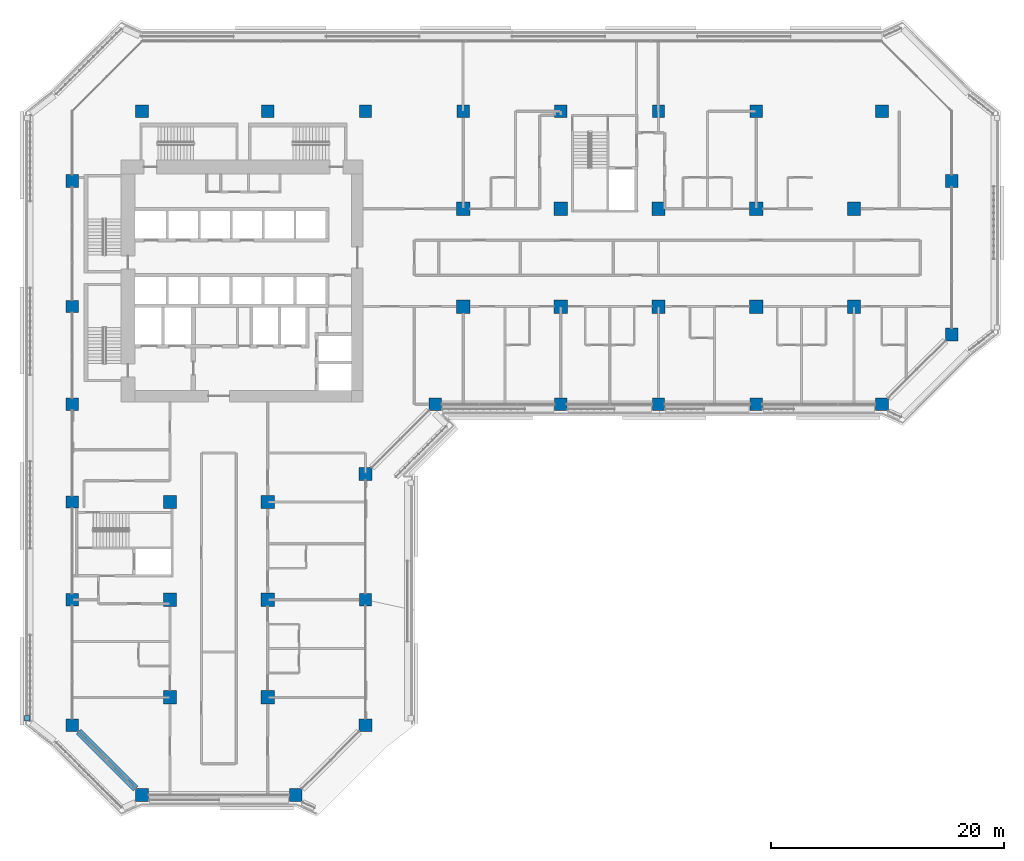
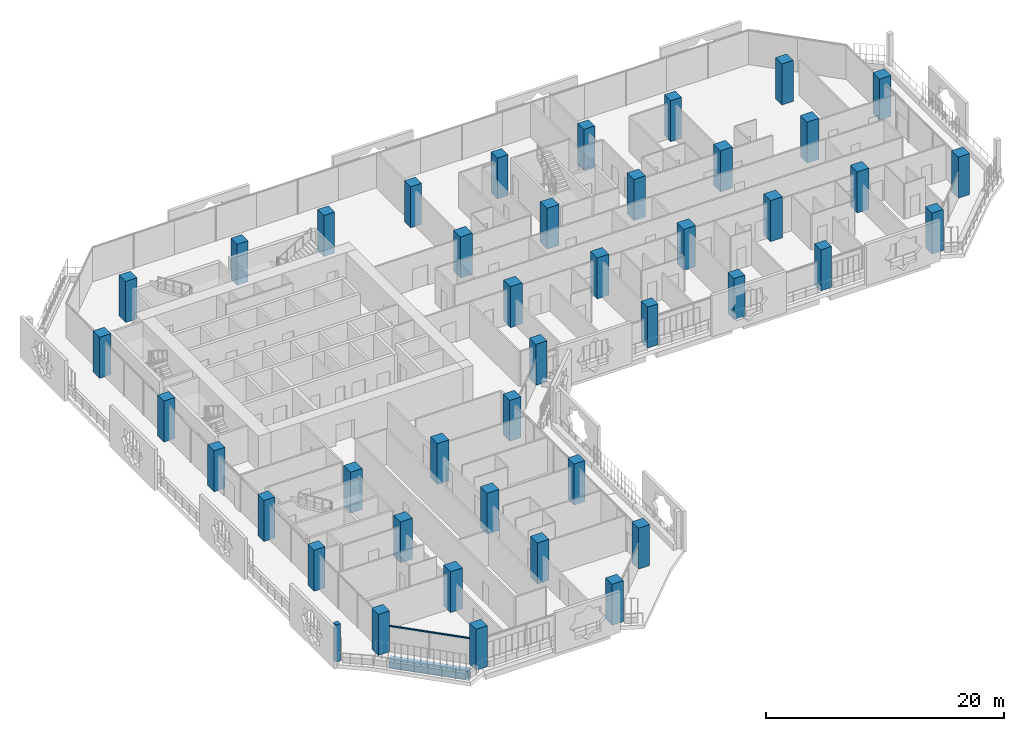
# One storey, part 1 of 25: 42 columns, 2 members, 1 beam, 2 elements without a shape of their own.
"""IFC4 building model written with IfcOpenShell, lengths in metres."""

import ifcopenshell
import ifcopenshell.guid

model = None  # the IFC model being written
_history = None  # IfcOwnerHistory: only IFC2X3 demands one
_inside = {}  # id of a spatial element -> (the spatial element, [elements in it])
_under = {}  # id of a project, library or spatial element -> (it, [spatial elements below it])
_declared = {}  # id of a project -> (the project, [libraries it declares])
_typed = {}  # id of a type object -> (the type object, [elements of that type])
_made_of = {}  # id of a material, layer set ... -> (it, [elements and type objects made of it])


def new_model(schema):
    """Start an empty IFC model of exactly this schema.

    Asked for "IFC4X3", IfcOpenShell would pick the latest addendum, in which some entities
    have other attributes; the version numbers below select the first issue.
    IFC2X3 requires an IfcOwnerHistory on every rooted entity: one is made here for all.
    """
    global model, _history
    if schema == "IFC4X3":
        model = ifcopenshell.file(schema_version=(4, 3, 0, 0))
    else:
        model = ifcopenshell.file(schema=schema)
    _inside.clear()
    _under.clear()
    _declared.clear()
    _typed.clear()
    _made_of.clear()
    _history = None
    if model.schema == "IFC2X3":
        org = make("IfcOrganization", Name="unknown")
        user = make(
            "IfcPersonAndOrganization",
            ThePerson=make("IfcPerson", FamilyName="unknown"),
            TheOrganization=org,
        )
        app = make(
            "IfcApplication",
            ApplicationDeveloper=org,
            Version="unknown",
            ApplicationFullName="unknown",
            ApplicationIdentifier="unknown",
        )
        _history = make(
            "IfcOwnerHistory",
            OwningUser=user,
            OwningApplication=app,
            ChangeAction="ADDED",
            CreationDate=0,
        )
    return model


def make(cls, **values):
    """One entity of the class cls with the attributes given. An attribute that is None is left unset."""
    return model.create_entity(
        cls, **{name: value for name, value in values.items() if value is not None}
    )


def rooted(cls, **values):
    """An entity with a GlobalId (a new one), such as an element, a storey or a relation."""
    return make(cls, GlobalId=ifcopenshell.guid.new(), OwnerHistory=_history, **values)


def si_unit(unit_type, name, prefix=None):
    """IfcSIUnit, for example si_unit("LENGTHUNIT", "METRE", prefix="MILLI")."""
    return make("IfcSIUnit", UnitType=unit_type, Prefix=prefix, Name=name)


def assignment(units):
    """IfcUnitAssignment: the units of a project."""
    return None if units is None else make("IfcUnitAssignment", Units=units)


def point(xyz):
    """IfcCartesianPoint."""
    return None if xyz is None else make("IfcCartesianPoint", Coordinates=xyz)


def direction(xyz):
    """IfcDirection."""
    return None if xyz is None else make("IfcDirection", DirectionRatios=xyz)


def frame(location, z_axis=None, x_axis=None):
    """IfcAxis2Placement3D, a coordinate frame: its origin and axes. An axis left out is left unset."""
    return make(
        "IfcAxis2Placement3D",
        Location=point(location),
        Axis=direction(z_axis),
        RefDirection=direction(x_axis),
    )


def frame_2d(location, x_axis=None):
    """IfcAxis2Placement2D, a coordinate frame in the plane: its origin and x axis."""
    return make(
        "IfcAxis2Placement2D", Location=point(location), RefDirection=direction(x_axis)
    )


def origin():
    """The frame at (0, 0, 0) with its axes left unset."""
    return frame((0.0, 0.0, 0.0))


def origin_2d():
    """The frame at (0, 0) in the plane with its x axis left unset."""
    return frame_2d((0.0, 0.0))


def place(relative_to, where):
    """IfcLocalPlacement: puts the frame where relative to a parent placement (None: the world)."""
    return make(
        "IfcLocalPlacement", PlacementRelTo=relative_to, RelativePlacement=where
    )


def context(
    kind, dimensions, precision=None, world=None, true_north=None, identifier=None
):
    """IfcGeometricRepresentationContext, for example the 3D "Model" context."""
    return make(
        "IfcGeometricRepresentationContext",
        ContextIdentifier=identifier,
        ContextType=kind,
        CoordinateSpaceDimension=dimensions,
        Precision=precision,
        WorldCoordinateSystem=world,
        TrueNorth=true_north,
    )


def subcontext(parent, identifier, kind, view, scale=None):
    """IfcGeometricRepresentationSubContext, for example "Body" below "Model"."""
    return make(
        "IfcGeometricRepresentationSubContext",
        ContextIdentifier=identifier,
        ContextType=kind,
        ParentContext=parent,
        TargetScale=scale,
        TargetView=view,
    )


def project(units=None, contexts=None):
    """IfcProject with its units and contexts."""
    return rooted(
        "IfcProject",
        Name="project",
        RepresentationContexts=contexts,
        UnitsInContext=assignment(units),
    )


def spatial(cls, under=None, at=None, **own):
    """A site, building, storey or space (cls), placed at a placement, below another one or the project."""
    s = rooted(cls, ObjectPlacement=at, **own)
    if under is not None:
        _under.setdefault(under.id(), (under, []))[1].append(s)
    return s


def profile(cls, at=None, kind="AREA", **sizes):
    """A parametric profile (cls). Its sizes go by their IFC names, for example OverallWidth=200.0."""
    return make(cls, ProfileType=kind, Position=at, **sizes)


def rectangle(**sizes):
    """IfcRectangleProfileDef."""
    return profile("IfcRectangleProfileDef", **sizes)


def extrude(swept, where, along, depth):
    """IfcExtrudedAreaSolid: the profile swept, set in the frame where, extruded along a direction by depth."""
    return make(
        "IfcExtrudedAreaSolid",
        SweptArea=swept,
        Position=where,
        ExtrudedDirection=direction(along),
        Depth=depth,
    )


def shape(context_of_items, identifier, shape_type, items):
    """IfcShapeRepresentation: the items that make up one representation, for example the "Body"."""
    return make(
        "IfcShapeRepresentation",
        ContextOfItems=context_of_items,
        RepresentationIdentifier=identifier,
        RepresentationType=shape_type,
        Items=items,
    )


def material(Name=None, Category=None):
    """IfcMaterial."""
    return make("IfcMaterial", Name=Name, Category=Category)


def layer(
    of_material, thickness, ventilated=None, Name=None, Category=None, Priority=None
):
    """IfcMaterialLayer: one layer of a wall or slab, of a material (None: an air gap)."""
    return make(
        "IfcMaterialLayer",
        Material=of_material,
        LayerThickness=thickness,
        IsVentilated=ventilated,
        Name=Name,
        Category=Category,
        Priority=Priority,
    )


def layer_set(layers, Name=None):
    """IfcMaterialLayerSet."""
    return make("IfcMaterialLayerSet", MaterialLayers=layers, LayerSetName=Name)


def material_profile(
    of_material, cross_section, Name=None, Category=None, Priority=None
):
    """IfcMaterialProfile: a cross section and its material."""
    return make(
        "IfcMaterialProfile",
        Name=Name,
        Material=of_material,
        Profile=cross_section,
        Priority=Priority,
        Category=Category,
    )


def profile_set(profiles, Name=None, composite=None):
    """IfcMaterialProfileSet."""
    return make(
        "IfcMaterialProfileSet",
        Name=Name,
        MaterialProfiles=profiles,
        CompositeProfile=composite,
    )


def made_of(thing, what):
    """Note that an element or type object is made of a material, layer set ...; save() writes the relation."""
    if what is not None:
        _made_of.setdefault(what.id(), (what, []))[1].append(thing)
    return thing


def type_object(cls, material=None, **own):
    """A type object (cls), such as IfcWallType, which elements share."""
    return made_of(rooted(cls, **own), material)


def element(
    cls,
    number,
    at=None,
    inside=None,
    cuts=None,
    type_object=None,
    material=None,
    context=None,
    identifier="Body",
    shape_type=None,
    held_by="IfcProductDefinitionShape",
    body=None,
    shapes=None,
    **own,
):
    """One element of the class cls, such as IfcWall. Its Tag is "e" and its number.

    at: its placement. inside: the storey or other place that contains it. cuts: it is an
    opening in that element (IfcRelVoidsElement). A single representation is given by context,
    identifier, shape_type and body (its items); several are given by shapes. held_by: the class
    of the entity that holds the representations. save() writes the other relations.
    """
    e = rooted(cls, Tag="e%d" % number, ObjectPlacement=at, **own)
    if body is not None:
        shapes = [shape(context, identifier, shape_type, body)]
    if shapes is not None:
        e.Representation = make(held_by, Representations=shapes)
    if inside is not None:
        _inside.setdefault(inside.id(), (inside, []))[1].append(e)
    if cuts is not None:
        rooted(
            "IfcRelVoidsElement", RelatingBuildingElement=cuts, RelatedOpeningElement=e
        )
    if type_object is not None:
        _typed.setdefault(type_object.id(), (type_object, []))[1].append(e)
    return made_of(e, material)


def aggregate(whole, parts):
    """IfcRelAggregates: a whole, such as a stair, and the parts it consists of."""
    return rooted("IfcRelAggregates", RelatingObject=whole, RelatedObjects=parts)


def save(model, path):
    """Write the relations noted so far, then the file.

    IfcRelAggregates (storeys below a building ...), IfcRelContainedInSpatialStructure (elements
    in a storey), IfcRelDefinesByType, IfcRelAssociatesMaterial and IfcRelDeclares: one each for
    every whole, place, type object, material and project.
    """
    for whole, parts in _under.values():
        aggregate(whole, parts)
    for where, things in _inside.values():
        rooted(
            "IfcRelContainedInSpatialStructure",
            RelatedElements=things,
            RelatingStructure=where,
        )
    for kind, things in _typed.values():
        rooted("IfcRelDefinesByType", RelatedObjects=things, RelatingType=kind)
    for what, things in _made_of.values():
        rooted("IfcRelAssociatesMaterial", RelatedObjects=things, RelatingMaterial=what)
    for by, libraries in _declared.values():
        rooted("IfcRelDeclares", RelatingContext=by, RelatedDefinitions=libraries)
    model.write(path)


model = new_model("IFC4")

# Units and contexts
model_context = context("Model", 3, precision=1e-05, world=origin(), true_north=direction((0.0, 1.0)))
body_context = subcontext(model_context, "Body", "Model", "MODEL_VIEW")
ifc_project = project(units=[si_unit("LENGTHUNIT", "METRE"), si_unit("AREAUNIT", "SQUARE_METRE"), si_unit("VOLUMEUNIT", "CUBIC_METRE"), si_unit("PLANEANGLEUNIT", "RADIAN"), si_unit("MASSUNIT", "GRAM", prefix="KILO")], contexts=[model_context])

# Site, building, storey
site_placement = place(None, origin())
site = spatial("IfcSite", under=ifc_project, at=site_placement, CompositionType="ELEMENT")
building_placement = place(site_placement, origin())
building = spatial("IfcBuilding", under=site, at=building_placement, Name="Kawkab Arch Medical Tower", CompositionType="ELEMENT")
storey_placement = place(building_placement, frame((0.0, 0.0, 136.60009765625)))
storey = spatial("IfcBuildingStorey", under=building, at=storey_placement, Name="L31", CompositionType="ELEMENT", Elevation=136.60009765625)

# Columns
ifc_material_1 = material(Name="Concrete C55/67", Category="concrete")
ifc_material_profile_1 = material_profile(ifc_material_1, rectangle(XDim=1.050048828125, YDim=1.050048828125, at=origin_2d()), Name="RC 1050x1050")
ifc_profile_set_1 = profile_set([ifc_material_profile_1], Name="Concrete C55/67")
column_type_1 = type_object("IfcColumnType", Name="RC 1050x1050 column C55/67", PredefinedType="COLUMN", material=ifc_profile_set_1)
for number, where, z_axis, x_axis, name in (
    (1, (16.800048828125, 0.0, 0.0), (0.0, 0.0, 1.0), (1.0, 0.0, 0.0), "Column RC 1050x1050"),
    (2, (25.199951171875, 0.0, 0.0), (0.0, 0.0, 1.0), (1.0, 0.0, 0.0), "Column RC 1050x1050"),
    (3, (33.60009765625, 0.0, 0.0), (0.0, 0.0, 1.0), (1.0, 0.0, 0.0), "Column RC 1050x1050"),
    (4, (42.0, 0.0, 0.0), (0.0, 0.0, 1.0), (1.0, 0.0, 0.0), "Column RC 1050x1050"),
    (5, (50.39990234375, 0.0, 0.0), (0.0, 0.0, 1.0), (1.0, 0.0, 0.0), "Column RC 1050x1050"),
    (6, (58.800048828125, 0.0, 0.0), (0.0, 0.0, 1.0), (1.0, 0.0, 0.0), "Column RC 1050x1050"),
    (7, (0.0, -16.800048828125, 0.0), (0.0, 0.0, 1.0), (1.0, 0.0, 0.0), "Column RC 1050x1050"),
    (8, (0.0, -25.199951171875, 0.0), (0.0, 0.0, 1.0), (1.0, 0.0, 0.0), "Column RC 1050x1050"),
    (9, (42.0, -25.199951171875, 0.0), (0.0, 0.0, 1.0), (1.0, 0.0, 0.0), "Column RC 1050x1050"),
    (10, (50.39990234375, -25.199951171875, 0.0), (0.0, 0.0, 1.0), (1.0, 0.0, 0.0), "Column RC 1050x1050"),
    (11, (58.800048828125, -25.199951171875, 0.0), (0.0, 0.0, 1.0), (1.0, 0.0, 0.0), "Column RC 1050x1050"),
    (12, (0.0, -33.60009765625, 0.0), (0.0, 0.0, 1.0), (1.0, 0.0, 0.0), "Column RC 1050x1050"),
    (13, (0.0, -42.0, 0.0), (0.0, 0.0, 1.0), (1.0, 0.0, 0.0), "Column RC 1050x1050"),
    (14, (25.199951171875, -42.0, 0.0), (0.0, 0.0, 1.0), (1.0, 0.0, 0.0), "Column RC 1050x1050"),
):
    element("IfcColumn", number, at=place(storey_placement, frame(where, z_axis=z_axis, x_axis=x_axis)), inside=storey, type_object=column_type_1, Name=name, PredefinedType="COLUMN", context=body_context, shape_type="SweptSolid", body=[
        extrude(rectangle(XDim=1.050048828125, YDim=1.050048828125, at=origin_2d()), origin(), (0.0, 0.0, 1.0), 4.199951171875),
    ])
ifc_material_2 = material(Name="Concrete C55/67", Category="concrete")
ifc_material_profile_2 = material_profile(ifc_material_2, rectangle(XDim=1.10009765625, YDim=1.10009765625, at=origin_2d()), Name="RC 1100x1100")
ifc_profile_set_2 = profile_set([ifc_material_profile_2], Name="Concrete C55/67")
column_type_2 = type_object("IfcColumnType", Name="RC 1100x1100 column C55/67", PredefinedType="COLUMN", material=ifc_profile_set_2)
for number, where, z_axis, x_axis, name in (
    (15, (6.0, 0.0, 0.0), (0.0, 0.0, 1.0), (1.0, 0.0, 0.0), "Column RC 1100x1100"),
    (16, (69.60009765625, 0.0, 0.0), (0.0, 0.0, 1.0), (1.0, 0.0, 0.0), "Column RC 1100x1100"),
    (17, (0.0, -6.0, 0.0), (0.0, 0.0, 1.0), (1.0, 0.0, 0.0), "Column RC 1100x1100"),
    (18, (75.60009765625, -6.0, 0.0), (0.0, 0.0, 1.0), (1.0, 0.0, 0.0), "Column RC 1100x1100"),
    (19, (75.60009765625, -19.199951171875, 0.0), (0.0, 0.0, 1.0), (1.0, 0.0, 0.0), "Column RC 1100x1100"),
    (20, (31.199951171875, -25.199951171875, 0.0), (0.0, 0.0, 1.0), (1.0, 0.0, 0.0), "Column RC 1100x1100"),
    (21, (69.60009765625, -25.199951171875, 0.0), (0.0, 0.0, 1.0), (1.0, 0.0, 0.0), "Column RC 1100x1100"),
    (22, (25.199951171875, -31.199951171875, 0.0), (0.0, 0.0, 1.0), (1.0, 0.0, 0.0), "Column RC 1100x1100"),
    (23, (0.0, -52.800048828125, 0.0), (0.0, 0.0, 1.0), (1.0, 0.0, 0.0), "Column RC 1100x1100"),
    (24, (25.199951171875, -52.800048828125, 0.0), (0.0, 0.0, 1.0), (1.0, 0.0, 0.0), "Column RC 1100x1100"),
    (25, (6.0, -58.800048828125, 0.0), (0.0, 0.0, 1.0), (1.0, 0.0, 0.0), "Column RC 1100x1100"),
    (26, (19.199951171875, -58.800048828125, 0.0), (0.0, 0.0, 1.0), (1.0, 0.0, 0.0), "Column RC 1100x1100"),
):
    element("IfcColumn", number, at=place(storey_placement, frame(where, z_axis=z_axis, x_axis=x_axis)), inside=storey, type_object=column_type_2, Name=name, PredefinedType="COLUMN", context=body_context, shape_type="SweptSolid", body=[
        extrude(rectangle(XDim=1.10009765625, YDim=1.10009765625, at=origin_2d()), origin(), (0.0, 0.0, 1.0), 4.199951171875),
    ])
ifc_material_3 = material(Name="Concrete C55/67", Category="concrete")
ifc_material_profile_3 = material_profile(ifc_material_3, rectangle(XDim=1.14990234375, YDim=1.14990234375, at=origin_2d()), Name="RC 1150x1150")
ifc_profile_set_3 = profile_set([ifc_material_profile_3], Name="Concrete C55/67")
column_type_3 = type_object("IfcColumnType", Name="RC 1150x1150 column C55/67", PredefinedType="COLUMN", material=ifc_profile_set_3)
for number, where, z_axis, x_axis, name in (
    (27, (33.60009765625, -8.39990234375, 0.0), (0.0, 0.0, 1.0), (1.0, 0.0, 0.0), "Column RC 1150x1150"),
    (28, (42.0, -8.39990234375, 0.0), (0.0, 0.0, 1.0), (1.0, 0.0, 0.0), "Column RC 1150x1150"),
    (29, (50.39990234375, -8.39990234375, 0.0), (0.0, 0.0, 1.0), (1.0, 0.0, 0.0), "Column RC 1150x1150"),
    (30, (58.800048828125, -8.39990234375, 0.0), (0.0, 0.0, 1.0), (1.0, 0.0, 0.0), "Column RC 1150x1150"),
    (31, (67.199951171875, -8.39990234375, 0.0), (0.0, 0.0, 1.0), (1.0, 0.0, 0.0), "Column RC 1150x1150"),
    (32, (33.60009765625, -16.800048828125, 0.0), (0.0, 0.0, 1.0), (1.0, 0.0, 0.0), "Column RC 1150x1150"),
    (33, (42.0, -16.800048828125, 0.0), (0.0, 0.0, 1.0), (1.0, 0.0, 0.0), "Column RC 1150x1150"),
    (34, (50.39990234375, -16.800048828125, 0.0), (0.0, 0.0, 1.0), (1.0, 0.0, 0.0), "Column RC 1150x1150"),
    (35, (58.800048828125, -16.800048828125, 0.0), (0.0, 0.0, 1.0), (1.0, 0.0, 0.0), "Column RC 1150x1150"),
    (36, (67.199951171875, -16.800048828125, 0.0), (0.0, 0.0, 1.0), (1.0, 0.0, 0.0), "Column RC 1150x1150"),
    (37, (8.39990234375, -33.60009765625, 0.0), (0.0, 0.0, 1.0), (1.0, 0.0, 0.0), "Column RC 1150x1150"),
    (38, (16.800048828125, -33.60009765625, 0.0), (0.0, 0.0, 1.0), (1.0, 0.0, 0.0), "Column RC 1150x1150"),
    (39, (8.39990234375, -42.0, 0.0), (0.0, 0.0, 1.0), (1.0, 0.0, 0.0), "Column RC 1150x1150"),
    (40, (16.800048828125, -42.0, 0.0), (0.0, 0.0, 1.0), (1.0, 0.0, 0.0), "Column RC 1150x1150"),
    (41, (8.39990234375, -50.39990234375, 0.0), (0.0, 0.0, 1.0), (1.0, 0.0, 0.0), "Column RC 1150x1150"),
    (42, (16.800048828125, -50.39990234375, 0.0), (0.0, 0.0, 1.0), (1.0, 0.0, 0.0), "Column RC 1150x1150"),
):
    element("IfcColumn", number, at=place(storey_placement, frame(where, z_axis=z_axis, x_axis=x_axis)), inside=storey, type_object=column_type_3, Name=name, PredefinedType="COLUMN", context=body_context, shape_type="SweptSolid", body=[
        extrude(rectangle(XDim=1.14990234375, YDim=1.14990234375, at=origin_2d()), origin(), (0.0, 0.0, 1.0), 4.199951171875),
    ])

# Curtain wall, member
ifc_material_4 = material(Name="Bronze anodised aluminium curtain wall frame", Category="aluminium")
ifc_layer_1 = layer(ifc_material_4, 0.159912109375)
ifc_layer_set_1 = layer_set([ifc_layer_1], Name="Bronze anodised aluminium curtain wall frame")
curtain_wall_type_1 = type_object("IfcCurtainWallType", Name="CW2 chamfer curtain wall", PredefinedType="NOTDEFINED", material=ifc_layer_set_1)
placement = place(storey_placement, origin())
curtain_wall_1 = element("IfcCurtainWall", 43, at=placement, inside=storey, type_object=curtain_wall_type_1, Name="CW2 Chamfer curtain wall R02", PredefinedType="NOTDEFINED")
ifc_material_5 = material(Name="Bronze anodised aluminium curtain wall frame", Category="aluminium")
ifc_material_profile_4 = material_profile(ifc_material_5, rectangle(XDim=0.06005859375, YDim=0.139892578125, at=origin_2d()), Name="AL 60x140")
ifc_profile_set_4 = profile_set([ifc_material_profile_4], Name="Bronze anodised aluminium curtain wall frame")
member_type_1 = type_object("IfcMemberType", Name="CW2 transom 140 x 60", PredefinedType="USERDEFINED", material=ifc_profile_set_4)
member_1_placement = place(storey_placement, frame((0.550048828125, -53.35009765625, 2.6298828125), z_axis=(0.707106781187, -0.707106781187, 0.0), x_axis=(0.707106781187, 0.707106781187, 0.0)))
member_1 = element("IfcMember", 44, at=member_1_placement, type_object=member_type_1, Name="CW2 transom 1", ObjectType="TRANSOM", PredefinedType="USERDEFINED", context=body_context, shape_type="SweptSolid", body=[
    extrude(rectangle(XDim=0.06005859375, YDim=0.139892578125, at=origin_2d()), origin(), (0.0, 0.0, 1.0), 6.929443359375),
])
aggregate(curtain_wall_1, [member_1])

ifc_material_6 = material(Name="Bronze anodised aluminium climber frame, planted", Category="aluminium")
ifc_layer_2 = layer(ifc_material_6, 0.449951171875)
ifc_layer_set_2 = layer_set([ifc_layer_2], Name="Bronze anodised aluminium climber frame, planted")
curtain_wall_type_2 = type_object("IfcCurtainWallType", Name="Planted climber frame", PredefinedType="NOTDEFINED", material=ifc_layer_set_2)
curtain_wall_2 = element("IfcCurtainWall", 45, at=placement, inside=storey, type_object=curtain_wall_type_2, Name="Planted climber frame L31", PredefinedType="NOTDEFINED")
ifc_material_7 = material(Name="Bronze anodised aluminium climber frame, planted", Category="aluminium")
ifc_material_profile_5 = material_profile(ifc_material_7, rectangle(XDim=0.449951171875, YDim=0.449951171875, at=origin_2d()), Name="Post 450x450")
ifc_profile_set_5 = profile_set([ifc_material_profile_5], Name="Bronze anodised aluminium climber frame, planted")
member_type_2 = type_object("IfcMemberType", Name="Planted climber post 450 x 450", PredefinedType="MULLION", material=ifc_profile_set_5)
member_2_placement = place(storey_placement, frame((-3.89990234375, -52.202880859375, 0.0), z_axis=(0.0, 0.0, 1.0), x_axis=(1.0, 0.0, 0.0)))
member_2 = element("IfcMember", 46, at=member_2_placement, type_object=member_type_2, Name="Planted climber post L31.LOG-01-01.1", PredefinedType="MULLION", context=body_context, shape_type="SweptSolid", body=[
    extrude(rectangle(XDim=0.449951171875, YDim=0.449951171875, at=origin_2d()), origin(), (0.0, 0.0, 1.0), 3.7998046875),
])
aggregate(curtain_wall_2, [member_2])

# Beam
ifc_material_8 = material(Name="Concrete C55/67", Category="concrete")
ifc_material_profile_6 = material_profile(ifc_material_8, rectangle(XDim=0.60009765625, YDim=0.89990234375, at=origin_2d()), Name="RC 600x900")
ifc_profile_set_6 = profile_set([ifc_material_profile_6], Name="Concrete C55/67")
beam_type = type_object("IfcBeamType", Name="RC 600x900 beam C55/67", PredefinedType="BEAM", material=ifc_profile_set_6)
beam_placement = place(storey_placement, frame((5.449951171875, -58.25, -1.050048828125), z_axis=(-0.707106781187, 0.707106781187, 0.0), x_axis=(-0.707106781187, -0.707106781187, 0.0)))
element("IfcBeam", 47, at=beam_placement, inside=storey, type_object=beam_type, Name="Overhang edge beam L31-09", PredefinedType="BEAM", context=body_context, shape_type="SweptSolid", body=[
    extrude(rectangle(XDim=0.60009765625, YDim=0.89990234375, at=origin_2d()), origin(), (0.0, 0.0, 1.0), 6.929443359375),
])

save(model, "model.ifc")
